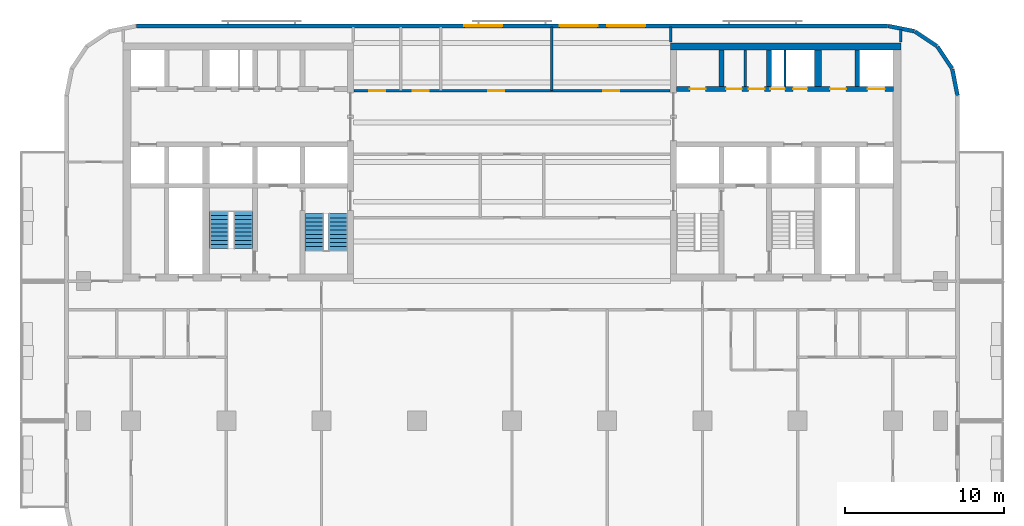
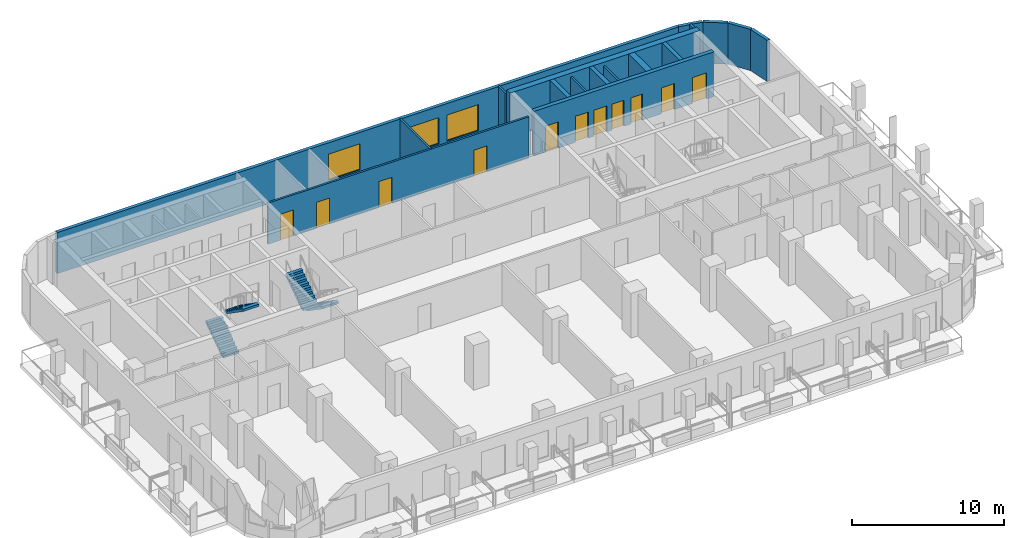
# One storey, part 7 of 11: 17 walls, 11 doors, 4 stair flights, 3 windows, 14 openings, 2 elements without a shape of their own.
"""IFC4 building model written with IfcOpenShell, lengths in metres."""

from ifc_helpers import new_model, si_unit, direction, frame, frame_2d, origin, place, context, subcontext, project, spatial, polyline, rectangle, outline, extrude, material, layer, layer_set, type_object, element, fill, aggregate, save


model = new_model("IFC4")

# Units and contexts
model_context = context("Model", 3, precision=1e-05, world=origin(), true_north=direction((0.0, 1.0)))
body_context = subcontext(model_context, "Body", "Model", "MODEL_VIEW")
ifc_project = project(units=[si_unit("LENGTHUNIT", "METRE"), si_unit("AREAUNIT", "SQUARE_METRE"), si_unit("VOLUMEUNIT", "CUBIC_METRE"), si_unit("PLANEANGLEUNIT", "RADIAN"), si_unit("MASSUNIT", "GRAM", prefix="KILO")], contexts=[model_context])

# Site, building, storey
site_placement = place(None, origin())
site = spatial("IfcSite", under=ifc_project, at=site_placement, CompositionType="ELEMENT")
building_placement = place(site_placement, origin())
building = spatial("IfcBuilding", under=site, at=building_placement, Name="Torana Hotel and Residences", CompositionType="ELEMENT")
storey_placement = place(building_placement, frame((0.0, 0.0, 120.0)))
storey = spatial("IfcBuildingStorey", under=building, at=storey_placement, Name="L30", CompositionType="ELEMENT", Elevation=120.0)

# Wall, openings, doors
ifc_material_1 = material(Name="Concrete C70/85", Category="concrete")
ifc_layer_1 = layer(ifc_material_1, 0.300048828125)
ifc_layer_set_1 = layer_set([ifc_layer_1], Name="CORE WALL 300 C70/85")
wall_type_1 = type_object("IfcWallType", Name="CORE WALL 300 C70/85", PredefinedType="SHEAR", material=ifc_layer_set_1)
wall_1_placement = place(storey_placement, frame((10.35009765625, -2.89990234375, 0.0), z_axis=(0.0, 0.0, 1.0), x_axis=(1.0, 0.0, 0.0)))
wall_1 = element("IfcWall", 1, at=wall_1_placement, inside=storey, type_object=wall_type_1, Name="Core wall E row-N", PredefinedType="SHEAR", context=body_context, shape_type="SweptSolid", body=[
    extrude(rectangle(XDim=13.699951171875, YDim=0.300048828125, at=frame_2d((6.85009765625, 0.0))), origin(), (0.0, 0.0, 1.0), 3.60009765625),
])
opening_1_placement = place(wall_1_placement, frame((12.050048828125, 0.0, 0.0)))
opening_1 = element("IfcOpeningElement", 2, at=opening_1_placement, cuts=wall_1, Name="Opening LD", PredefinedType="OPENING", context=body_context, shape_type="SweptSolid", body=[
    extrude(rectangle(XDim=1.10009765625, YDim=2.10009765625, at=frame_2d((0.550048828125, 1.050048828125))), frame((0.0, 0.159912109375, 0.0), z_axis=(0.0, -1.0, 0.0), x_axis=(1.0, 0.0, 0.0)), (0.0, 0.0, 1.0), 0.320068359375),
])
opening_2_placement = place(wall_1_placement, frame((5.9375, 0.0, 0.0)))
opening_2 = element("IfcOpeningElement", 3, at=opening_2_placement, cuts=wall_1, Name="Opening L30-23", PredefinedType="OPENING", context=body_context, shape_type="SweptSolid", body=[
    extrude(rectangle(XDim=0.89990234375, YDim=2.10009765625, at=frame_2d((0.449951171875, 1.050048828125))), frame((0.0, 0.159912109375, 0.0), z_axis=(0.0, -1.0, 0.0), x_axis=(1.0, 0.0, 0.0)), (0.0, 0.0, 1.0), 0.320068359375),
])
opening_3_placement = place(wall_1_placement, frame((7.362548828125, 0.0, 0.0)))
opening_3 = element("IfcOpeningElement", 4, at=opening_3_placement, cuts=wall_1, Name="Opening L30-24", PredefinedType="OPENING", context=body_context, shape_type="SweptSolid", body=[
    extrude(rectangle(XDim=0.89990234375, YDim=2.10009765625, at=frame_2d((0.449951171875, 1.050048828125))), frame((0.0, 0.159912109375, 0.0), z_axis=(0.0, -1.0, 0.0), x_axis=(1.0, 0.0, 0.0)), (0.0, 0.0, 1.0), 0.320068359375),
])
opening_4_placement = place(wall_1_placement, frame((0.85009765625, 0.0, 0.0)))
opening_4 = element("IfcOpeningElement", 5, at=opening_4_placement, cuts=wall_1, Name="Opening L30-25", PredefinedType="OPENING", context=body_context, shape_type="SweptSolid", body=[
    extrude(rectangle(XDim=1.0, YDim=2.10009765625, at=frame_2d((0.5, 1.050048828125))), frame((0.0, 0.159912109375, 0.0), z_axis=(0.0, -1.0, 0.0), x_axis=(1.0, 0.0, 0.0)), (0.0, 0.0, 1.0), 0.320068359375),
])
opening_5_placement = place(wall_1_placement, frame((3.137451171875, 0.0, 0.0)))
opening_5 = element("IfcOpeningElement", 6, at=opening_5_placement, cuts=wall_1, Name="Opening L30-26", PredefinedType="OPENING", context=body_context, shape_type="SweptSolid", body=[
    extrude(rectangle(XDim=1.0, YDim=2.10009765625, at=frame_2d((0.5, 1.050048828125))), frame((0.0, 0.159912109375, 0.0), z_axis=(0.0, -1.0, 0.0), x_axis=(1.0, 0.0, 0.0)), (0.0, 0.0, 1.0), 0.320068359375),
])
opening_6_placement = place(wall_1_placement, frame((4.5625, 0.0, 0.0)))
opening_6 = element("IfcOpeningElement", 7, at=opening_6_placement, cuts=wall_1, Name="Opening L30-27", PredefinedType="OPENING", context=body_context, shape_type="SweptSolid", body=[
    extrude(rectangle(XDim=1.0, YDim=2.10009765625, at=frame_2d((0.5, 1.050048828125))), frame((0.0, 0.159912109375, 0.0), z_axis=(0.0, -1.0, 0.0), x_axis=(1.0, 0.0, 0.0)), (0.0, 0.0, 1.0), 0.320068359375),
])
opening_7_placement = place(wall_1_placement, frame((9.699951171875, 0.0, 0.0)))
opening_7 = element("IfcOpeningElement", 8, at=opening_7_placement, cuts=wall_1, Name="Opening L30-28", PredefinedType="OPENING", context=body_context, shape_type="SweptSolid", body=[
    extrude(rectangle(XDim=1.0, YDim=2.10009765625, at=frame_2d((0.5, 1.050048828125))), frame((0.0, 0.159912109375, 0.0), z_axis=(0.0, -1.0, 0.0), x_axis=(1.0, 0.0, 0.0)), (0.0, 0.0, 1.0), 0.320068359375),
])
ifc_material_2 = material(Name="Steel S235", Category="steel")
door_type_1 = type_object("IfcDoorType", Name="CORE ROOM FIRE DOOR D14 1000x2100", OperationType="SINGLE_SWING_LEFT", PredefinedType="DOOR", material=ifc_material_2)
door_1_placement = place(opening_4_placement, origin())
door_1 = element("IfcDoor", 9, at=door_1_placement, inside=storey, type_object=door_type_1, Name="N0 door L30", OperationType="SINGLE_SWING_RIGHT", OverallHeight=2.10009765625, OverallWidth=1.0, PredefinedType="DOOR", context=body_context, shape_type="SweptSolid", body=[
    extrude(rectangle(XDim=1.0, YDim=2.10009765625, at=frame_2d((0.5, 1.050048828125))), frame((0.0, 0.02490234375, 0.0), z_axis=(0.0, -1.0, 0.0), x_axis=(1.0, 0.0, 0.0)), (0.0, 0.0, 1.0), 0.050048828125),
])
fill(opening_4, door_1)
door_2_placement = place(opening_5_placement, origin())
door_2 = element("IfcDoor", 10, at=door_2_placement, inside=storey, type_object=door_type_1, Name="N1A door L30", OperationType="SINGLE_SWING_RIGHT", OverallHeight=2.10009765625, OverallWidth=1.0, PredefinedType="DOOR", context=body_context, shape_type="SweptSolid", body=[
    extrude(rectangle(XDim=1.0, YDim=2.10009765625, at=frame_2d((0.5, 1.050048828125))), frame((0.0, 0.02490234375, 0.0), z_axis=(0.0, -1.0, 0.0), x_axis=(1.0, 0.0, 0.0)), (0.0, 0.0, 1.0), 0.050048828125),
])
fill(opening_5, door_2)
door_3_placement = place(opening_6_placement, origin())
door_3 = element("IfcDoor", 11, at=door_3_placement, inside=storey, type_object=door_type_1, Name="N1B door L30", OperationType="SINGLE_SWING_RIGHT", OverallHeight=2.10009765625, OverallWidth=1.0, PredefinedType="DOOR", context=body_context, shape_type="SweptSolid", body=[
    extrude(rectangle(XDim=1.0, YDim=2.10009765625, at=frame_2d((0.5, 1.050048828125))), frame((0.0, 0.02490234375, 0.0), z_axis=(0.0, -1.0, 0.0), x_axis=(1.0, 0.0, 0.0)), (0.0, 0.0, 1.0), 0.050048828125),
])
fill(opening_6, door_3)
door_4_placement = place(opening_7_placement, origin())
door_4 = element("IfcDoor", 12, at=door_4_placement, inside=storey, type_object=door_type_1, Name="Freed-S2 door L30", OperationType="SINGLE_SWING_RIGHT", OverallHeight=2.10009765625, OverallWidth=1.0, PredefinedType="DOOR", context=body_context, shape_type="SweptSolid", body=[
    extrude(rectangle(XDim=1.0, YDim=2.10009765625, at=frame_2d((0.5, 1.050048828125))), frame((0.0, 0.02490234375, 0.0), z_axis=(0.0, -1.0, 0.0), x_axis=(1.0, 0.0, 0.0)), (0.0, 0.0, 1.0), 0.050048828125),
])
fill(opening_7, door_4)
ifc_material_3 = material(Name="Stainless steel 316", Category="steel")
door_type_2 = type_object("IfcDoorType", Name="LIFT LANDING DOOR LD 1100x2100", OperationType="DOUBLE_DOOR_SLIDING", PredefinedType="USERDEFINED", material=ifc_material_3)
door_5_placement = place(opening_1_placement, origin())
door_5 = element("IfcDoor", 13, at=door_5_placement, inside=storey, type_object=door_type_2, Name="Lift landing door M3 L30", ObjectType="LIFT LANDING DOOR", OperationType="DOUBLE_DOOR_SLIDING", OverallHeight=2.10009765625, OverallWidth=1.10009765625, PredefinedType="USERDEFINED", context=body_context, shape_type="SweptSolid", body=[
    extrude(rectangle(XDim=1.10009765625, YDim=2.10009765625, at=frame_2d((0.550048828125, 1.050048828125))), frame((0.0, 0.02490234375, 0.0), z_axis=(0.0, -1.0, 0.0), x_axis=(1.0, 0.0, 0.0)), (0.0, 0.0, 1.0), 0.050048828125),
])
fill(opening_1, door_5)
ifc_material_4 = material(Name="Steel S235", Category="steel")
door_type_3 = type_object("IfcDoorType", Name="RISER ACCESS DOOR D5 900x2100", OperationType="SINGLE_SWING_LEFT", PredefinedType="DOOR", material=ifc_material_4)
door_6_placement = place(opening_2_placement, origin())
door_6 = element("IfcDoor", 14, at=door_6_placement, inside=storey, type_object=door_type_3, Name="N2A door L30", OperationType="SINGLE_SWING_RIGHT", OverallHeight=2.10009765625, OverallWidth=0.89990234375, PredefinedType="DOOR", context=body_context, shape_type="SweptSolid", body=[
    extrude(rectangle(XDim=0.89990234375, YDim=2.10009765625, at=frame_2d((0.449951171875, 1.050048828125))), frame((0.0, 0.02490234375, 0.0), z_axis=(0.0, -1.0, 0.0), x_axis=(1.0, 0.0, 0.0)), (0.0, 0.0, 1.0), 0.050048828125),
])
fill(opening_2, door_6)
door_7_placement = place(opening_3_placement, origin())
door_7 = element("IfcDoor", 15, at=door_7_placement, inside=storey, type_object=door_type_3, Name="N2B door L30", OperationType="SINGLE_SWING_RIGHT", OverallHeight=2.10009765625, OverallWidth=0.89990234375, PredefinedType="DOOR", context=body_context, shape_type="SweptSolid", body=[
    extrude(rectangle(XDim=0.89990234375, YDim=2.10009765625, at=frame_2d((0.449951171875, 1.050048828125))), frame((0.0, 0.02490234375, 0.0), z_axis=(0.0, -1.0, 0.0), x_axis=(1.0, 0.0, 0.0)), (0.0, 0.0, 1.0), 0.050048828125),
])
fill(opening_3, door_7)

# Walls
for number, where, z_axis, x_axis, name in (
    (16, (13.199951171875, -2.75, 0.0), (0.0, 0.0, 1.0), (0.0, 1.0, 0.0), "Core wall E x3.05-N"),
    (17, (16.199951171875, -2.75, 0.0), (0.0, 0.0, 1.0), (0.0, 1.0, 0.0), "Core wall E x6.05-N"),
    (18, (21.75, -2.75, 0.0), (0.0, 0.0, 1.0), (0.0, 1.0, 0.0), "Core wall E mm-N"),
):
    element("IfcWall", number, at=place(storey_placement, frame(where, z_axis=z_axis, x_axis=x_axis)), inside=storey, type_object=wall_type_1, Name=name, PredefinedType="SHEAR", context=body_context, shape_type="SweptSolid", body=[
        extrude(rectangle(XDim=2.300048828125, YDim=0.300048828125, at=frame_2d((1.14990234375, 0.0))), origin(), (0.0, 0.0, 1.0), 3.60009765625),
    ])
ifc_material_5 = material(Name="Concrete C70/85", Category="concrete")
ifc_layer_2 = layer(ifc_material_5, 0.449951171875)
ifc_layer_set_2 = layer_set([ifc_layer_2], Name="CORE WALL 450 C70/85")
wall_type_2 = type_object("IfcWallType", Name="CORE WALL 450 C70/85", PredefinedType="SHEAR", material=ifc_layer_set_2)
wall_2_placement = place(storey_placement, frame((10.0, -0.22509765625, 0.0), z_axis=(0.0, 0.0, 1.0), x_axis=(1.0, 0.0, 0.0)))
element("IfcWall", 19, at=wall_2_placement, inside=storey, type_object=wall_type_2, Name="Core wall E rear", PredefinedType="SHEAR", context=body_context, shape_type="SweptSolid", body=[
    extrude(rectangle(XDim=14.5, YDim=0.449951171875, at=frame_2d((7.25, 0.0))), origin(), (0.0, 0.0, 1.0), 3.60009765625),
])
wall_3_placement = place(storey_placement, frame((19.27490234375, -2.75, 0.0), z_axis=(0.0, 0.0, 1.0), x_axis=(0.0, 1.0, 0.0)))
element("IfcWall", 20, at=wall_3_placement, inside=storey, type_object=wall_type_2, Name="Core wall E hm-N", PredefinedType="SHEAR", context=body_context, shape_type="SweptSolid", body=[
    extrude(rectangle(XDim=2.300048828125, YDim=0.449951171875, at=frame_2d((1.14990234375, 0.0))), origin(), (0.0, 0.0, 1.0), 3.60009765625),
])
ifc_material_6 = material(Name="Black aluminium composite panel", Category="aluminium")
ifc_layer_3 = layer(ifc_material_6, 0.00390625, Name="Cladding", Category="cladding")
ifc_material_7 = material(Name="Ventilated air cavity")
ifc_layer_4 = layer(ifc_material_7, 0.0400390625, Name="Ventilated cavity", Category="cavity")
ifc_material_8 = material(Name="Mineral wool insulation")
ifc_layer_5 = layer(ifc_material_8, 0.090087890625, Name="Insulation", Category="insulation")
ifc_material_9 = material(Name="Steel S280GD", Category="steel")
ifc_layer_6 = layer(ifc_material_9, 0.092041015625, Name="Steel stud frame", Category="structure")
ifc_material_10 = material(Name="Fire rated plasterboard")
ifc_layer_7 = layer(ifc_material_10, 0.011962890625, Name="Inner board", Category="finish")
ifc_layer_8 = layer(ifc_material_10, 0.011962890625, Name="Second board", Category="finish")
ifc_layer_set_3 = layer_set([ifc_layer_3, ifc_layer_4, ifc_layer_5, ifc_layer_6, ifc_layer_7, ifc_layer_8], Name="EW1 EXTERNAL WALL BLACK METAL CLAD 250")
wall_type_3 = type_object("IfcWallType", Name="EW1 EXTERNAL WALL BLACK METAL CLAD 250", PredefinedType="SOLIDWALL", material=ifc_layer_set_3)
wall_4_placement = place(storey_placement, frame((28.072509765625, -3.30029296875, 0.0), z_axis=(0.0, 0.0, 1.0), x_axis=(-0.194999110559, 0.980803419081, 0.0)))
element("IfcWall", 21, at=wall_4_placement, inside=storey, type_object=wall_type_3, Name="External wall L30 e0.0", PredefinedType="SOLIDWALL", context=body_context, shape_type="SweptSolid", body=[
    extrude(rectangle(XDim=1.681396484375, YDim=0.25, at=frame_2d((0.8408203125, 0.0))), origin(), (0.0, 0.0, 1.0), 3.320068359375),
])
for number, where, z_axis, x_axis, name in (
    (22, (27.725830078125, -1.60595703125, 0.0), (0.0, 0.0, 1.0), (-0.55555029066, 0.831482937015, 0.0), "External wall L30 e0.1"),
    (23, (26.771240234375, -0.1943359375, 0.0), (0.0, 0.0, 1.0), (-0.831482937015, 0.55555029066, 0.0), "External wall L30 e0.2"),
):
    element("IfcWall", number, at=place(storey_placement, frame(where, z_axis=z_axis, x_axis=x_axis)), inside=storey, type_object=wall_type_3, Name=name, PredefinedType="SOLIDWALL", context=body_context, shape_type="SweptSolid", body=[
        extrude(rectangle(XDim=1.65625, YDim=0.25, at=frame_2d((0.828125, 0.0))), origin(), (0.0, 0.0, 1.0), 3.320068359375),
    ])
wall_5_placement = place(storey_placement, frame((25.348876953125, 0.74462890625, 0.0), z_axis=(0.0, 0.0, 1.0), x_axis=(-0.980803419081, 0.194999110559, 0.0)))
element("IfcWall", 24, at=wall_5_placement, inside=storey, type_object=wall_type_3, Name="External wall L30 e0.3", PredefinedType="SOLIDWALL", context=body_context, shape_type="SweptSolid", body=[
    extrude(rectangle(XDim=1.681396484375, YDim=0.25, at=frame_2d((0.8408203125, 0.0))), origin(), (0.0, 0.0, 1.0), 3.320068359375),
])

# Wall, openings, windows
ifc_material_11 = material(Name="Concrete C40/50 precast", Category="concrete")
ifc_layer_9 = layer(ifc_material_11, 0.10009765625, Name="Perforated block", Category="cladding")
ifc_material_12 = material(Name="Air cavity")
ifc_layer_10 = layer(ifc_material_12, 0.030029296875, Name="Cavity", Category="cavity")
ifc_material_13 = material(Name="Concrete C40/50", Category="concrete")
ifc_layer_11 = layer(ifc_material_13, 0.10009765625, Name="Wall", Category="structure")
ifc_material_14 = material(Name="Plaster and paint")
ifc_layer_12 = layer(ifc_material_14, 0.02001953125, Name="Inner finish", Category="finish")
ifc_layer_set_4 = layer_set([ifc_layer_9, ifc_layer_10, ifc_layer_11, ifc_layer_12], Name="EW2 PERFORATED BLOCK SCREEN WALL 250")
wall_type_4 = type_object("IfcWallType", Name="EW2 PERFORATED BLOCK SCREEN WALL 250", PredefinedType="SOLIDWALL", material=ifc_layer_set_4)
wall_6_placement = place(storey_placement, frame((23.67529296875, 1.074951171875, 0.0), z_axis=(0.0, 0.0, 1.0), x_axis=(-1.0, 0.0, 0.0)))
wall_6 = element("IfcWall", 25, at=wall_6_placement, inside=storey, type_object=wall_type_4, Name="External wall L30 e0.4", PredefinedType="SOLIDWALL", context=body_context, shape_type="SweptSolid", body=[
    extrude(rectangle(XDim=47.3505859375, YDim=0.25, at=frame_2d((23.67529296875, 0.0))), origin(), (0.0, 0.0, 1.0), 3.320068359375),
])
opening_8_placement = place(wall_6_placement, frame((15.275390625, 0.0, 0.300048828125)))
opening_8 = element("IfcOpeningElement", 26, at=opening_8_placement, cuts=wall_6, Name="Opening W1", PredefinedType="OPENING", context=body_context, shape_type="SweptSolid", body=[
    extrude(rectangle(XDim=2.39990234375, YDim=2.10009765625, at=frame_2d((1.199951171875, 1.050048828125))), frame((0.0, 0.135009765625, 0.0), z_axis=(0.0, -1.0, 0.0), x_axis=(1.0, 0.0, 0.0)), (0.0, 0.0, 1.0), 0.27001953125),
])
opening_9_placement = place(wall_6_placement, frame((18.275390625, 0.0, 0.300048828125)))
opening_9 = element("IfcOpeningElement", 27, at=opening_9_placement, cuts=wall_6, Name="Opening W1", PredefinedType="OPENING", context=body_context, shape_type="SweptSolid", body=[
    extrude(rectangle(XDim=2.39990234375, YDim=2.10009765625, at=frame_2d((1.199951171875, 1.050048828125))), frame((0.0, 0.135009765625, 0.0), z_axis=(0.0, -1.0, 0.0), x_axis=(1.0, 0.0, 0.0)), (0.0, 0.0, 1.0), 0.27001953125),
])
opening_10_placement = place(wall_6_placement, frame((24.275390625, 0.0, 0.300048828125)))
opening_10 = element("IfcOpeningElement", 28, at=opening_10_placement, cuts=wall_6, Name="Opening W1", PredefinedType="OPENING", context=body_context, shape_type="SweptSolid", body=[
    extrude(rectangle(XDim=2.39990234375, YDim=2.10009765625, at=frame_2d((1.199951171875, 1.050048828125))), frame((0.0, 0.135009765625, 0.0), z_axis=(0.0, -1.0, 0.0), x_axis=(1.0, 0.0, 0.0)), (0.0, 0.0, 1.0), 0.27001953125),
])
ifc_material_15 = material(Name="Dark glass in black aluminium frame", Category="aluminium")
window_type = type_object("IfcWindowType", Name="W1 HOTEL ROOM WINDOW 2400x2100", PartitioningType="SINGLE_PANEL", PredefinedType="WINDOW", material=ifc_material_15)
window_1_placement = place(opening_8_placement, origin())
window_1 = element("IfcWindow", 29, at=window_1_placement, inside=storey, type_object=window_type, Name="Window L30", OverallHeight=2.10009765625, OverallWidth=2.39990234375, PartitioningType="SINGLE_PANEL", PredefinedType="WINDOW", context=body_context, shape_type="SweptSolid", body=[
    extrude(rectangle(XDim=2.39990234375, YDim=2.10009765625, at=frame_2d((1.199951171875, 1.050048828125))), frame((0.0, 0.030029296875, 0.0), z_axis=(0.0, -1.0, 0.0), x_axis=(1.0, 0.0, 0.0)), (0.0, 0.0, 1.0), 0.06005859375),
])
fill(opening_8, window_1)
window_2_placement = place(opening_9_placement, origin())
window_2 = element("IfcWindow", 30, at=window_2_placement, inside=storey, type_object=window_type, Name="Window L30", OverallHeight=2.10009765625, OverallWidth=2.39990234375, PartitioningType="SINGLE_PANEL", PredefinedType="WINDOW", context=body_context, shape_type="SweptSolid", body=[
    extrude(rectangle(XDim=2.39990234375, YDim=2.10009765625, at=frame_2d((1.199951171875, 1.050048828125))), frame((0.0, 0.030029296875, 0.0), z_axis=(0.0, -1.0, 0.0), x_axis=(1.0, 0.0, 0.0)), (0.0, 0.0, 1.0), 0.06005859375),
])
fill(opening_9, window_2)
window_3_placement = place(opening_10_placement, origin())
window_3 = element("IfcWindow", 31, at=window_3_placement, inside=storey, type_object=window_type, Name="Window L30", OverallHeight=2.10009765625, OverallWidth=2.39990234375, PartitioningType="SINGLE_PANEL", PredefinedType="WINDOW", context=body_context, shape_type="SweptSolid", body=[
    extrude(rectangle(XDim=2.39990234375, YDim=2.10009765625, at=frame_2d((1.199951171875, 1.050048828125))), frame((0.0, 0.030029296875, 0.0), z_axis=(0.0, -1.0, 0.0), x_axis=(1.0, 0.0, 0.0)), (0.0, 0.0, 1.0), 0.06005859375),
])
fill(opening_10, window_3)

# Walls
ifc_material_16 = material(Name="Gypsum plaster")
ifc_layer_13 = layer(ifc_material_16, 0.014892578125, Name="Plaster", Category="finish")
ifc_material_17 = material(Name="Concrete blockwork", Category="masonry")
ifc_layer_14 = layer(ifc_material_17, 0.1201171875, Name="Blockwork", Category="structure")
ifc_layer_15 = layer(ifc_material_16, 0.014892578125, Name="Plaster", Category="finish")
ifc_layer_set_5 = layer_set([ifc_layer_13, ifc_layer_14, ifc_layer_15], Name="FIRE PARTITION 150 BLOCKWORK")
wall_type_5 = type_object("IfcWallType", Name="FIRE PARTITION 150 BLOCKWORK", PredefinedType="PARTITIONING", material=ifc_layer_set_5)
for number, where, z_axis, x_axis, name in (
    (32, (17.199951171875, -2.75, 0.0), (0.0, 0.0, 1.0), (0.0, 1.0, 0.0), "Core partition L30"),
    (33, (14.699951171875, -2.75, 0.0), (0.0, 0.0, 1.0), (0.0, 1.0, 0.0), "Core partition L30"),
):
    element("IfcWall", number, at=place(storey_placement, frame(where, z_axis=z_axis, x_axis=x_axis)), inside=storey, type_object=wall_type_5, Name=name, PredefinedType="PARTITIONING", context=body_context, shape_type="SweptSolid", body=[
        extrude(rectangle(XDim=2.300048828125, YDim=0.14990234375, at=frame_2d((1.14990234375, 0.0))), origin(), (0.0, 0.0, 1.0), 3.300048828125),
    ])

# Wall, openings, doors
wall_7_placement = place(storey_placement, frame((-9.949951171875, -3.0, 0.0), z_axis=(0.0, 0.0, 1.0), x_axis=(1.0, 0.0, 0.0)))
wall_7 = element("IfcWall", 34, at=wall_7_placement, inside=storey, type_object=wall_type_5, Name="Partition L30", PredefinedType="PARTITIONING", context=body_context, shape_type="SweptSolid", body=[
    extrude(rectangle(XDim=19.89990234375, YDim=0.14990234375, at=frame_2d((9.949951171875, 0.0))), origin(), (0.0, 0.0, 1.0), 3.320068359375),
])
opening_11_placement = place(wall_7_placement, frame((0.949951171875, 0.0, 0.0)))
opening_11 = element("IfcOpeningElement", 35, at=opening_11_placement, cuts=wall_7, Name="Opening L30-46", PredefinedType="OPENING", context=body_context, shape_type="SweptSolid", body=[
    extrude(rectangle(XDim=1.0, YDim=2.10009765625, at=frame_2d((0.5, 1.050048828125))), frame((0.0, 0.0849609375, 0.0), z_axis=(0.0, -1.0, 0.0), x_axis=(1.0, 0.0, 0.0)), (0.0, 0.0, 1.0), 0.169921875),
])
opening_12_placement = place(wall_7_placement, frame((3.699951171875, 0.0, 0.0)))
opening_12 = element("IfcOpeningElement", 36, at=opening_12_placement, cuts=wall_7, Name="Opening L30-47", PredefinedType="OPENING", context=body_context, shape_type="SweptSolid", body=[
    extrude(rectangle(XDim=1.0, YDim=2.10009765625, at=frame_2d((0.5, 1.050048828125))), frame((0.0, 0.0849609375, 0.0), z_axis=(0.0, -1.0, 0.0), x_axis=(1.0, 0.0, 0.0)), (0.0, 0.0, 1.0), 0.169921875),
])
opening_13_placement = place(wall_7_placement, frame((8.449951171875, 0.0, 0.0)))
opening_13 = element("IfcOpeningElement", 37, at=opening_13_placement, cuts=wall_7, Name="Opening L30-48", PredefinedType="OPENING", context=body_context, shape_type="SweptSolid", body=[
    extrude(rectangle(XDim=1.0, YDim=2.10009765625, at=frame_2d((0.5, 1.050048828125))), frame((0.0, 0.0849609375, 0.0), z_axis=(0.0, -1.0, 0.0), x_axis=(1.0, 0.0, 0.0)), (0.0, 0.0, 1.0), 0.169921875),
])
opening_14_placement = place(wall_7_placement, frame((15.699951171875, 0.0, 0.0)))
opening_14 = element("IfcOpeningElement", 38, at=opening_14_placement, cuts=wall_7, Name="Opening L30-49", PredefinedType="OPENING", context=body_context, shape_type="SweptSolid", body=[
    extrude(rectangle(XDim=1.0, YDim=2.10009765625, at=frame_2d((0.5, 1.050048828125))), frame((0.0, 0.0849609375, 0.0), z_axis=(0.0, -1.0, 0.0), x_axis=(1.0, 0.0, 0.0)), (0.0, 0.0, 1.0), 0.169921875),
])
ifc_material_18 = material(Name="Steel S235", Category="steel")
door_type_4 = type_object("IfcDoorType", Name="ENTRY FIRE DOOR D6 1000x2100", OperationType="SINGLE_SWING_LEFT", PredefinedType="DOOR", material=ifc_material_18)
door_8_placement = place(opening_11_placement, origin())
door_8 = element("IfcDoor", 39, at=door_8_placement, inside=storey, type_object=door_type_4, Name="Door L30", OperationType="SINGLE_SWING_RIGHT", OverallHeight=2.10009765625, OverallWidth=1.0, PredefinedType="DOOR", context=body_context, shape_type="SweptSolid", body=[
    extrude(rectangle(XDim=1.0, YDim=2.10009765625, at=frame_2d((0.5, 1.050048828125))), frame((0.0, 0.02490234375, 0.0), z_axis=(0.0, -1.0, 0.0), x_axis=(1.0, 0.0, 0.0)), (0.0, 0.0, 1.0), 0.050048828125),
])
fill(opening_11, door_8)
door_9_placement = place(opening_12_placement, origin())
door_9 = element("IfcDoor", 40, at=door_9_placement, inside=storey, type_object=door_type_4, Name="Door L30", OperationType="SINGLE_SWING_RIGHT", OverallHeight=2.10009765625, OverallWidth=1.0, PredefinedType="DOOR", context=body_context, shape_type="SweptSolid", body=[
    extrude(rectangle(XDim=1.0, YDim=2.10009765625, at=frame_2d((0.5, 1.050048828125))), frame((0.0, 0.02490234375, 0.0), z_axis=(0.0, -1.0, 0.0), x_axis=(1.0, 0.0, 0.0)), (0.0, 0.0, 1.0), 0.050048828125),
])
fill(opening_12, door_9)
door_10_placement = place(opening_13_placement, origin())
door_10 = element("IfcDoor", 41, at=door_10_placement, inside=storey, type_object=door_type_4, Name="Door L30", OperationType="SINGLE_SWING_RIGHT", OverallHeight=2.10009765625, OverallWidth=1.0, PredefinedType="DOOR", context=body_context, shape_type="SweptSolid", body=[
    extrude(rectangle(XDim=1.0, YDim=2.10009765625, at=frame_2d((0.5, 1.050048828125))), frame((0.0, 0.02490234375, 0.0), z_axis=(0.0, -1.0, 0.0), x_axis=(1.0, 0.0, 0.0)), (0.0, 0.0, 1.0), 0.050048828125),
])
fill(opening_13, door_10)
door_11_placement = place(opening_14_placement, origin())
door_11 = element("IfcDoor", 42, at=door_11_placement, inside=storey, type_object=door_type_4, Name="Door L30", OperationType="SINGLE_SWING_RIGHT", OverallHeight=2.10009765625, OverallWidth=1.0, PredefinedType="DOOR", context=body_context, shape_type="SweptSolid", body=[
    extrude(rectangle(XDim=1.0, YDim=2.10009765625, at=frame_2d((0.5, 1.050048828125))), frame((0.0, 0.02490234375, 0.0), z_axis=(0.0, -1.0, 0.0), x_axis=(1.0, 0.0, 0.0)), (0.0, 0.0, 1.0), 0.050048828125),
])
fill(opening_14, door_11)

# Walls
ifc_material_19 = material(Name="Gypsum plasterboard")
ifc_layer_16 = layer(ifc_material_19, 0.012451171875, Name="Plasterboard", Category="finish")
ifc_layer_17 = layer(ifc_material_19, 0.012451171875, Name="Plasterboard", Category="finish")
ifc_layer_18 = layer(ifc_material_9, 0.10009765625, Name="Steel studs with mineral wool", Category="insulation")
ifc_layer_19 = layer(ifc_material_19, 0.012451171875, Name="Plasterboard", Category="finish")
ifc_layer_20 = layer(ifc_material_19, 0.012451171875, Name="Plasterboard", Category="finish")
ifc_layer_set_6 = layer_set([ifc_layer_16, ifc_layer_17, ifc_layer_18, ifc_layer_19, ifc_layer_20], Name="PARTITION 150 PLASTERBOARD")
wall_type_6 = type_object("IfcWallType", Name="PARTITION 150 PLASTERBOARD", PredefinedType="PARTITIONING", material=ifc_layer_set_6)
wall_8_placement = place(storey_placement, frame((24.5, 0.050048828125, 0.0), z_axis=(0.0, 0.0, 1.0), x_axis=(0.0, 1.0, 0.0)))
element("IfcWall", 43, at=wall_8_placement, inside=storey, type_object=wall_type_6, Name="Partition L30", PredefinedType="PARTITIONING", context=body_context, shape_type="SweptSolid", body=[
    extrude(rectangle(XDim=0.807373046875, YDim=0.14990234375, at=frame_2d((0.40380859375, 0.0))), origin(), (0.0, 0.0, 1.0), 3.320068359375),
])
wall_9_placement = place(storey_placement, frame((10.0, 0.050048828125, 0.0), z_axis=(0.0, 0.0, 1.0), x_axis=(0.0, 1.0, 0.0)))
element("IfcWall", 44, at=wall_9_placement, inside=storey, type_object=wall_type_6, Name="Partition L30", PredefinedType="PARTITIONING", context=body_context, shape_type="SweptSolid", body=[
    extrude(rectangle(XDim=0.969970703125, YDim=0.14990234375, at=frame_2d((0.48486328125, 0.0))), origin(), (0.0, 0.0, 1.0), 3.320068359375),
])
wall_10_placement = place(storey_placement, frame((2.5, -3.0, 0.0), z_axis=(0.0, 0.0, 1.0), x_axis=(0.0, 1.0, 0.0)))
element("IfcWall", 45, at=wall_10_placement, inside=storey, type_object=wall_type_6, Name="Partition L30", PredefinedType="PARTITIONING", context=body_context, shape_type="SweptSolid", body=[
    extrude(rectangle(XDim=4.02001953125, YDim=0.14990234375, at=frame_2d((2.010009765625, 0.0))), origin(), (0.0, 0.0, 1.0), 3.320068359375),
])

# Stair, stair flights
ifc_material_20 = material(Name="Concrete C40/50 precast", Category="concrete")
stair_type_1 = type_object("IfcStairType", Name="STAIR ST1 HALF TURN 1200", PredefinedType="HALF_TURN_STAIR", material=ifc_material_20)
stair_1_placement = place(storey_placement, origin())
stair_1 = element("IfcStair", 46, at=stair_1_placement, inside=storey, type_object=stair_type_1, Name="Stair ST1 L30", PredefinedType="HALF_TURN_STAIR")
ifc_material_21 = material(Name="Concrete C40/50 precast", Category="concrete")
stair_flight_type = type_object("IfcStairFlightType", Name="STAIR FLIGHT 1200 PRECAST", PredefinedType="STRAIGHT", material=ifc_material_21)
stair_flight_1_placement = place(storey_placement, frame((-10.949951171875, -10.75, 0.0), z_axis=(0.0, 0.0, 1.0), x_axis=(0.0, -1.0, 0.0)))
stair_flight_1 = element("IfcStairFlight", 47, at=stair_flight_1_placement, type_object=stair_flight_type, Name="ST1 flight 1", NumberOfRisers=10, NumberOfTreads=9, PredefinedType="STRAIGHT", RiserHeight=0.18, TreadLength=0.26, context=body_context, shape_type="SweptSolid", body=[
    extrude(outline(polyline([(0.0, 0.0), (0.0, 0.179931640625), (0.260009765625, 0.179931640625), (0.260009765625, 0.360107421875), (0.52001953125, 0.360107421875), (0.52001953125, 0.5400390625), (0.780029296875, 0.5400390625), (0.780029296875, 0.719970703125), (1.0400390625, 0.719970703125), (1.0400390625, 0.89990234375), (1.300048828125, 0.89990234375), (1.300048828125, 1.080078125), (1.56005859375, 1.080078125), (1.56005859375, 1.260009765625), (1.820068359375, 1.260009765625), (1.820068359375, 1.43994140625), (2.080078125, 1.43994140625), (2.080078125, 1.6201171875), (2.340087890625, 1.6201171875), (2.340087890625, 1.800048828125), (2.340087890625, 1.437744140625), (0.263427734375, 0.0), (0.0, 0.0)])), frame((0.0, 0.60009765625, 0.0), z_axis=(0.0, -1.0, 0.0), x_axis=(1.0, 0.0, 0.0)), (0.0, 0.0, 1.0), 1.199951171875),
])
stair_flight_2_placement = place(storey_placement, frame((-12.449951171875, -13.090087890625, 1.800048828125), z_axis=(0.0, 0.0, 1.0), x_axis=(0.0, 1.0, 0.0)))
stair_flight_2 = element("IfcStairFlight", 48, at=stair_flight_2_placement, type_object=stair_flight_type, Name="ST1 flight 2", NumberOfRisers=10, NumberOfTreads=9, PredefinedType="STRAIGHT", RiserHeight=0.18, TreadLength=0.26, context=body_context, shape_type="SweptSolid", body=[
    extrude(outline(polyline([(0.0, 0.0), (0.0, 0.179931640625), (0.260009765625, 0.179931640625), (0.260009765625, 0.360107421875), (0.52001953125, 0.360107421875), (0.52001953125, 0.5400390625), (0.780029296875, 0.5400390625), (0.780029296875, 0.719970703125), (1.0400390625, 0.719970703125), (1.0400390625, 0.89990234375), (1.300048828125, 0.89990234375), (1.300048828125, 1.080078125), (1.56005859375, 1.080078125), (1.56005859375, 1.260009765625), (1.820068359375, 1.260009765625), (1.820068359375, 1.43994140625), (2.080078125, 1.43994140625), (2.080078125, 1.6201171875), (2.340087890625, 1.6201171875), (2.340087890625, 1.800048828125), (2.340087890625, 1.437744140625), (0.263427734375, 0.0), (0.0, 0.0)])), frame((0.0, 0.60009765625, 0.0), z_axis=(0.0, -1.0, 0.0), x_axis=(1.0, 0.0, 0.0)), (0.0, 0.0, 1.0), 1.199951171875),
])
aggregate(stair_1, [stair_flight_1, stair_flight_2])

ifc_material_22 = material(Name="Concrete C40/50 precast", Category="concrete")
stair_type_2 = type_object("IfcStairType", Name="STAIR ST2 HALF TURN 1200", PredefinedType="HALF_TURN_STAIR", material=ifc_material_22)
stair_2_placement = place(storey_placement, origin())
stair_2 = element("IfcStair", 49, at=stair_2_placement, inside=storey, type_object=stair_type_2, Name="Stair ST2 L30", PredefinedType="HALF_TURN_STAIR")
stair_flight_3_placement = place(storey_placement, frame((-18.449951171875, -12.949951171875, 0.0), z_axis=(0.0, 0.0, 1.0), x_axis=(0.0, 1.0, 0.0)))
stair_flight_3 = element("IfcStairFlight", 50, at=stair_flight_3_placement, type_object=stair_flight_type, Name="ST2 flight 1", NumberOfRisers=10, NumberOfTreads=9, PredefinedType="STRAIGHT", RiserHeight=0.18, TreadLength=0.26, context=body_context, shape_type="SweptSolid", body=[
    extrude(outline(polyline([(0.0, 0.0), (0.0, 0.179931640625), (0.260009765625, 0.179931640625), (0.260009765625, 0.360107421875), (0.52001953125, 0.360107421875), (0.52001953125, 0.5400390625), (0.780029296875, 0.5400390625), (0.780029296875, 0.719970703125), (1.0400390625, 0.719970703125), (1.0400390625, 0.89990234375), (1.300048828125, 0.89990234375), (1.300048828125, 1.080078125), (1.56005859375, 1.080078125), (1.56005859375, 1.260009765625), (1.820068359375, 1.260009765625), (1.820068359375, 1.43994140625), (2.080078125, 1.43994140625), (2.080078125, 1.6201171875), (2.340087890625, 1.6201171875), (2.340087890625, 1.800048828125), (2.340087890625, 1.437744140625), (0.263427734375, 0.0), (0.0, 0.0)])), frame((0.0, 0.60009765625, 0.0), z_axis=(0.0, -1.0, 0.0), x_axis=(1.0, 0.0, 0.0)), (0.0, 0.0, 1.0), 1.199951171875),
])
stair_flight_4_placement = place(storey_placement, frame((-16.949951171875, -10.610107421875, 1.800048828125), z_axis=(0.0, 0.0, 1.0), x_axis=(0.0, -1.0, 0.0)))
stair_flight_4 = element("IfcStairFlight", 51, at=stair_flight_4_placement, type_object=stair_flight_type, Name="ST2 flight 2", NumberOfRisers=10, NumberOfTreads=9, PredefinedType="STRAIGHT", RiserHeight=0.18, TreadLength=0.26, context=body_context, shape_type="SweptSolid", body=[
    extrude(outline(polyline([(0.0, 0.0), (0.0, 0.179931640625), (0.260009765625, 0.179931640625), (0.260009765625, 0.360107421875), (0.52001953125, 0.360107421875), (0.52001953125, 0.5400390625), (0.780029296875, 0.5400390625), (0.780029296875, 0.719970703125), (1.0400390625, 0.719970703125), (1.0400390625, 0.89990234375), (1.300048828125, 0.89990234375), (1.300048828125, 1.080078125), (1.56005859375, 1.080078125), (1.56005859375, 1.260009765625), (1.820068359375, 1.260009765625), (1.820068359375, 1.43994140625), (2.080078125, 1.43994140625), (2.080078125, 1.6201171875), (2.340087890625, 1.6201171875), (2.340087890625, 1.800048828125), (2.340087890625, 1.437744140625), (0.263427734375, 0.0), (0.0, 0.0)])), frame((0.0, 0.60009765625, 0.0), z_axis=(0.0, -1.0, 0.0), x_axis=(1.0, 0.0, 0.0)), (0.0, 0.0, 1.0), 1.199951171875),
])
aggregate(stair_2, [stair_flight_3, stair_flight_4])

save(model, "model.ifc")
